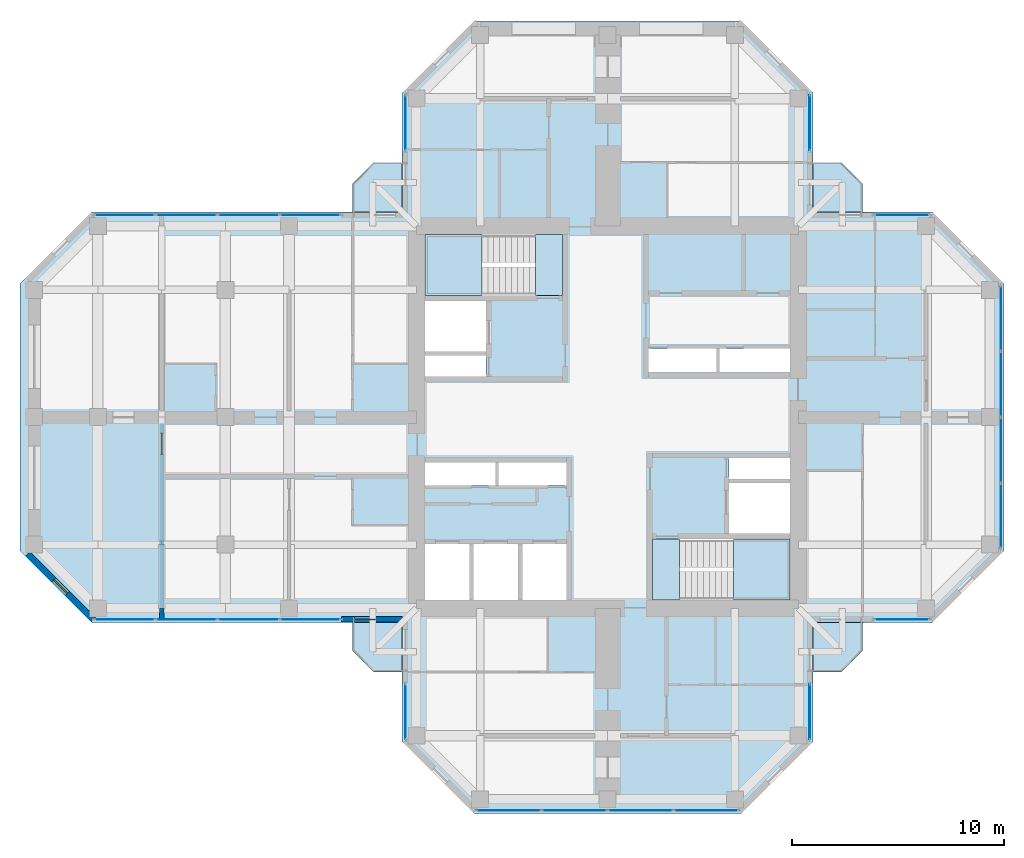
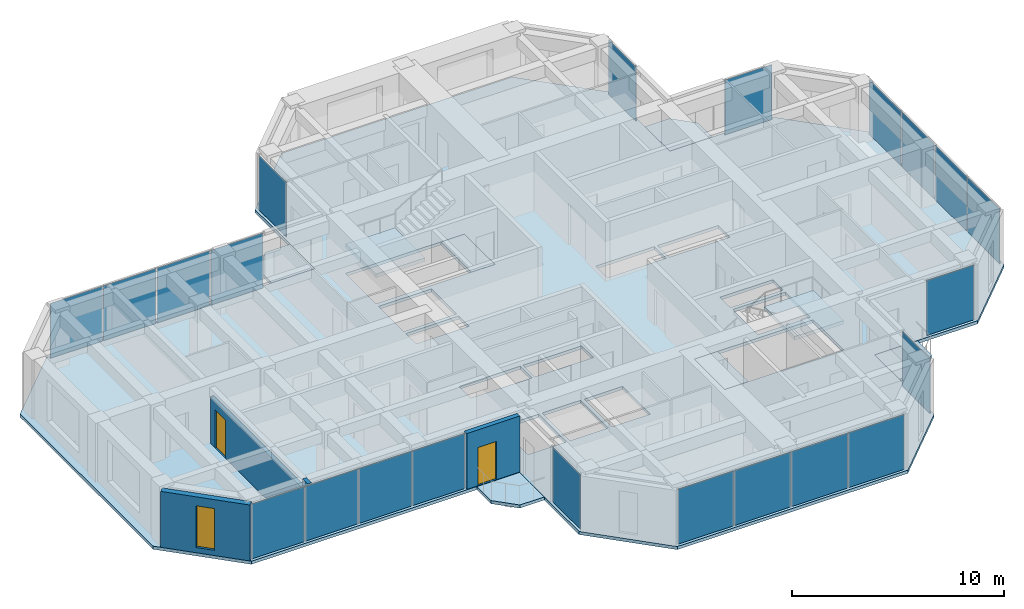
# One storey, part 7 of 13: 22 plates, 9 slabs, 4 walls, 2 doors, 1 window, 3 openings, 12 elements without a shape of their own.
"""IFC4 building model written with IfcOpenShell, lengths in metres."""

from ifc_helpers import new_model, si_unit, direction, frame, frame_2d, origin, origin_2d, place, context, subcontext, project, spatial, polyline, rectangle, hollow_rectangle, outline, extrude, material, layer, layer_set, constituent, constituent_set, type_object, element, fill, aggregate, save


model = new_model("IFC4")

# Units and contexts
model_context = context("Model", 3, precision=1e-05, world=origin(), true_north=direction((0.0, 1.0)))
body_context = subcontext(model_context, "Body", "Model", "MODEL_VIEW")
ifc_project = project(units=[si_unit("LENGTHUNIT", "METRE"), si_unit("AREAUNIT", "SQUARE_METRE"), si_unit("VOLUMEUNIT", "CUBIC_METRE"), si_unit("PLANEANGLEUNIT", "RADIAN"), si_unit("MASSUNIT", "GRAM", prefix="KILO")], contexts=[model_context])

# Site, building, storey
site_placement = place(None, origin())
site = spatial("IfcSite", under=ifc_project, at=site_placement, CompositionType="ELEMENT")
building_placement = place(site_placement, origin())
building = spatial("IfcBuilding", under=site, at=building_placement, Name="Torre Cruceta", CompositionType="ELEMENT")
storey_placement = place(building_placement, frame((0.0, 0.0, 232.300048828125)))
storey = spatial("IfcBuildingStorey", under=building, at=storey_placement, Name="L59", CompositionType="ELEMENT", Elevation=232.300048828125)

# Slabs
ifc_material_1 = material(Name="Concrete G35 (fck 35 MPa)", Category="concrete")
ifc_layer_1 = layer(ifc_material_1, 0.179931640625)
ifc_layer_set_1 = layer_set([ifc_layer_1], Name="Concrete G35 (fck 35 MPa)")
slab_type_1 = type_object("IfcSlabType", Name="BALCONY SLAB 180", PredefinedType="USERDEFINED", material=ifc_layer_set_1)
slab_1_placement = place(storey_placement, frame((0.0, 0.0, -0.179931640625)))
element("IfcSlab", 1, at=slab_1_placement, inside=storey, type_object=slab_type_1, Name="Balcony slab L59 N", ObjectType="BALCONY", PredefinedType="USERDEFINED", context=body_context, shape_type="SweptSolid", body=[
    extrude(outline(polyline([(-12.0, 11.0), (-11.0, 12.0), (-9.669921875, 12.0), (-9.669921875, 9.669921875), (-12.0, 9.669921875), (-12.0, 11.0)])), origin(), (0.0, 0.0, 1.0), 0.179931640625),
])
slab_2_placement = place(storey_placement, frame((0.0, 0.0, -0.179931640625)))
element("IfcSlab", 2, at=slab_2_placement, inside=storey, type_object=slab_type_1, Name="Balcony slab L59 E", ObjectType="BALCONY", PredefinedType="USERDEFINED", context=body_context, shape_type="SweptSolid", body=[
    extrude(outline(polyline([(11.0, 12.0), (12.0, 11.0), (12.0, 9.669921875), (9.669921875, 9.669921875), (9.669921875, 12.0), (11.0, 12.0)])), origin(), (0.0, 0.0, 1.0), 0.179931640625),
])
slab_3_placement = place(storey_placement, frame((0.0, 0.0, -0.179931640625)))
element("IfcSlab", 3, at=slab_3_placement, inside=storey, type_object=slab_type_1, Name="Balcony slab L59 S", ObjectType="BALCONY", PredefinedType="USERDEFINED", context=body_context, shape_type="SweptSolid", body=[
    extrude(outline(polyline([(12.0, -11.0), (11.0, -12.0), (9.669921875, -12.0), (9.669921875, -9.669921875), (12.0, -9.669921875), (12.0, -11.0)])), origin(), (0.0, 0.0, 1.0), 0.179931640625),
])
slab_4_placement = place(storey_placement, frame((0.0, 0.0, -0.179931640625)))
element("IfcSlab", 4, at=slab_4_placement, inside=storey, type_object=slab_type_1, Name="Balcony slab L59 W", ObjectType="BALCONY", PredefinedType="USERDEFINED", context=body_context, shape_type="SweptSolid", body=[
    extrude(outline(polyline([(-11.0, -12.0), (-12.0, -11.0), (-12.0, -9.669921875), (-9.669921875, -9.669921875), (-9.669921875, -12.0), (-11.0, -12.0)])), origin(), (0.0, 0.0, 1.0), 0.179931640625),
])

# Curtain wall, plate
ifc_material_2 = material(Name="Aluminium unitised curtain wall", Category="aluminium")
curtain_wall_type = type_object("IfcCurtainWallType", Name="CURTAIN WALL CW-D CO-LIVING UPPER", PredefinedType="USERDEFINED", material=ifc_material_2)
curtain_wall_1_placement = place(storey_placement, origin())
curtain_wall_1 = element("IfcCurtainWall", 5, at=curtain_wall_1_placement, inside=storey, type_object=curtain_wall_type, Name="CW-D L59 E tip 02", ObjectType="UNITISED", PredefinedType="USERDEFINED")
ifc_material_3 = material(Name="Laminated insulating glass unit, low-iron clear", Category="glass")
ifc_material_4 = material(Name="Laminated insulating glass unit, diagonal frit 50 %", Category="glass")
ifc_layer_2 = layer(ifc_material_4, 0.028076171875)
ifc_layer_set_2 = layer_set([ifc_layer_2], Name="Laminated insulating glass unit, diagonal frit 50 %")
plate_type_1 = type_object("IfcPlateType", Name="CW-D OPERABLE VENT PANEL 28", PredefinedType="CURTAIN_PANEL", material=ifc_layer_set_2)
plate_1_placement = place(storey_placement, frame((18.52001953125, -1.553955078125, 0.010009765625), z_axis=(0.0, 0.0, 1.0), x_axis=(0.0, 1.0, 0.0)))
plate_1 = element("IfcPlate", 6, at=plate_1_placement, type_object=plate_type_1, material=ifc_material_3, Name="CW-D vent 2", PredefinedType="CURTAIN_PANEL", context=body_context, shape_type="SweptSolid", body=[
    extrude(rectangle(XDim=3.047607421875, YDim=0.028076171875, at=origin_2d()), origin(), (0.0, 0.0, 1.0), 3.14990234375),
])

curtain_wall_2_placement = place(storey_placement, origin())
curtain_wall_2 = element("IfcCurtainWall", 7, at=curtain_wall_2_placement, inside=storey, type_object=curtain_wall_type, Name="CW-D L59 W side 10", ObjectType="UNITISED", PredefinedType="USERDEFINED")
plate_2_placement = place(storey_placement, frame((-16.90576171875, 9.52001953125, 0.010009765625), z_axis=(0.0, 0.0, 1.0), x_axis=(-1.0, 0.0, 0.0)))
plate_2 = element("IfcPlate", 8, at=plate_2_placement, type_object=plate_type_1, material=ifc_material_3, Name="CW-D vent 2", PredefinedType="CURTAIN_PANEL", context=body_context, shape_type="SweptSolid", body=[
    extrude(rectangle(XDim=2.86376953125, YDim=0.028076171875, at=origin_2d()), origin(), (0.0, 0.0, 1.0), 3.14990234375),
])

curtain_wall_3_placement = place(storey_placement, origin())
curtain_wall_3 = element("IfcCurtainWall", 9, at=curtain_wall_3_placement, inside=storey, type_object=curtain_wall_type, Name="CW-D L59 W side 14", ObjectType="UNITISED", PredefinedType="USERDEFINED")
plate_3_placement = place(storey_placement, frame((-19.82958984375, -9.52001953125, 0.010009765625), z_axis=(0.0, 0.0, 1.0), x_axis=(1.0, 0.0, 0.0)))
plate_3 = element("IfcPlate", 10, at=plate_3_placement, type_object=plate_type_1, material=ifc_material_3, Name="CW-D vent 2", PredefinedType="CURTAIN_PANEL", context=body_context, shape_type="SweptSolid", body=[
    extrude(rectangle(XDim=2.86376953125, YDim=0.028076171875, at=origin_2d()), origin(), (0.0, 0.0, 1.0), 3.14990234375),
])

curtain_wall_4_placement = place(storey_placement, origin())
curtain_wall_4 = element("IfcCurtainWall", 11, at=curtain_wall_4_placement, inside=storey, type_object=curtain_wall_type, Name="CW-D L59 S tip 17", ObjectType="UNITISED", PredefinedType="USERDEFINED")
plate_4_placement = place(storey_placement, frame((-1.553955078125, -18.52001953125, 0.010009765625), z_axis=(0.0, 0.0, 1.0), x_axis=(1.0, 0.0, 0.0)))
plate_4 = element("IfcPlate", 12, at=plate_4_placement, type_object=plate_type_1, material=ifc_material_3, Name="CW-D vent 2", PredefinedType="CURTAIN_PANEL", context=body_context, shape_type="SweptSolid", body=[
    extrude(rectangle(XDim=3.047607421875, YDim=0.028076171875, at=origin_2d()), origin(), (0.0, 0.0, 1.0), 3.14990234375),
])

curtain_wall_5_placement = place(storey_placement, origin())
curtain_wall_5 = element("IfcCurtainWall", 13, at=curtain_wall_5_placement, inside=storey, type_object=curtain_wall_type, Name="CW-D L59 E side 00", ObjectType="UNITISED", PredefinedType="USERDEFINED")
ifc_material_5 = material(Name="Laminated insulating glass unit, diagonal frit 50 %", Category="glass")
ifc_material_6 = material(Name="Laminated insulating glass unit, diagonal frit 50 %", Category="glass")
ifc_layer_3 = layer(ifc_material_6, 0.028076171875)
ifc_layer_set_3 = layer_set([ifc_layer_3], Name="Laminated insulating glass unit, diagonal frit 50 %")
plate_type_2 = type_object("IfcPlateType", Name="CW-D PANEL 28", PredefinedType="CURTAIN_PANEL", material=ifc_layer_set_3)
plate_5_placement = place(storey_placement, frame((13.86767578125, -9.52001953125, 0.010009765625), z_axis=(0.0, 0.0, 1.0), x_axis=(1.0, 0.0, 0.0)))
plate_5 = element("IfcPlate", 14, at=plate_5_placement, type_object=plate_type_2, material=ifc_material_5, Name="CW-D panel 1", PredefinedType="CURTAIN_PANEL", context=body_context, shape_type="SweptSolid", body=[
    extrude(rectangle(XDim=2.575439453125, YDim=0.028076171875, at=origin_2d()), origin(), (0.0, 0.0, 1.0), 3.14990234375),
])
aggregate(curtain_wall_5, [plate_5])

# Plate
plate_6_placement = place(storey_placement, frame((18.52001953125, -4.646484375, 0.010009765625), z_axis=(0.0, 0.0, 1.0), x_axis=(0.0, 1.0, 0.0)))
plate_6 = element("IfcPlate", 15, at=plate_6_placement, type_object=plate_type_2, material=ifc_material_5, Name="CW-D panel 1", PredefinedType="CURTAIN_PANEL", context=body_context, shape_type="SweptSolid", body=[
    extrude(rectangle(XDim=3.017578125, YDim=0.028076171875, at=origin_2d()), origin(), (0.0, 0.0, 1.0), 3.14990234375),
])

plate_7_placement = place(storey_placement, frame((18.52001953125, 1.553955078125, 0.010009765625), z_axis=(0.0, 0.0, 1.0), x_axis=(0.0, 1.0, 0.0)))
plate_7 = element("IfcPlate", 16, at=plate_7_placement, type_object=plate_type_2, material=ifc_material_3, Name="CW-D panel 3", PredefinedType="CURTAIN_PANEL", context=body_context, shape_type="SweptSolid", body=[
    extrude(rectangle(XDim=3.047607421875, YDim=0.028076171875, at=origin_2d()), origin(), (0.0, 0.0, 1.0), 3.14990234375),
])

plate_8_placement = place(storey_placement, frame((18.52001953125, 4.646484375, 0.010009765625), z_axis=(0.0, 0.0, 1.0), x_axis=(0.0, 1.0, 0.0)))
plate_8 = element("IfcPlate", 17, at=plate_8_placement, type_object=plate_type_2, material=ifc_material_5, Name="CW-D panel 4", PredefinedType="CURTAIN_PANEL", context=body_context, shape_type="SweptSolid", body=[
    extrude(rectangle(XDim=3.017578125, YDim=0.028076171875, at=origin_2d()), origin(), (0.0, 0.0, 1.0), 3.14990234375),
])

aggregate(curtain_wall_1, [plate_6, plate_1, plate_7, plate_8])

# Curtain wall, plate
curtain_wall_6_placement = place(storey_placement, origin())
curtain_wall_6 = element("IfcCurtainWall", 18, at=curtain_wall_6_placement, inside=storey, type_object=curtain_wall_type, Name="CW-D L59 E side 04", ObjectType="UNITISED", PredefinedType="USERDEFINED")
plate_9_placement = place(storey_placement, frame((13.86767578125, 9.52001953125, 0.010009765625), z_axis=(0.0, 0.0, 1.0), x_axis=(-1.0, 0.0, 0.0)))
plate_9 = element("IfcPlate", 19, at=plate_9_placement, type_object=plate_type_2, material=ifc_material_5, Name="CW-D panel 1", PredefinedType="CURTAIN_PANEL", context=body_context, shape_type="SweptSolid", body=[
    extrude(rectangle(XDim=2.575439453125, YDim=0.028076171875, at=origin_2d()), origin(), (0.0, 0.0, 1.0), 3.14990234375),
])
aggregate(curtain_wall_6, [plate_9])

curtain_wall_7_placement = place(storey_placement, origin())
curtain_wall_7 = element("IfcCurtainWall", 20, at=curtain_wall_7_placement, inside=storey, type_object=curtain_wall_type, Name="CW-D L59 N side 05", ObjectType="UNITISED", PredefinedType="USERDEFINED")
plate_10_placement = place(storey_placement, frame((9.52001953125, 13.86767578125, 0.010009765625), z_axis=(0.0, 0.0, 1.0), x_axis=(0.0, 1.0, 0.0)))
plate_10 = element("IfcPlate", 21, at=plate_10_placement, type_object=plate_type_2, material=ifc_material_5, Name="CW-D panel 1", PredefinedType="CURTAIN_PANEL", context=body_context, shape_type="SweptSolid", body=[
    extrude(rectangle(XDim=2.575439453125, YDim=0.028076171875, at=origin_2d()), origin(), (0.0, 0.0, 1.0), 3.14990234375),
])
aggregate(curtain_wall_7, [plate_10])

curtain_wall_8_placement = place(storey_placement, origin())
curtain_wall_8 = element("IfcCurtainWall", 22, at=curtain_wall_8_placement, inside=storey, type_object=curtain_wall_type, Name="CW-D L59 N side 09", ObjectType="UNITISED", PredefinedType="USERDEFINED")
plate_11_placement = place(storey_placement, frame((-9.52001953125, 13.86767578125, 0.010009765625), z_axis=(0.0, 0.0, 1.0), x_axis=(0.0, -1.0, 0.0)))
plate_11 = element("IfcPlate", 23, at=plate_11_placement, type_object=plate_type_2, material=ifc_material_5, Name="CW-D panel 1", PredefinedType="CURTAIN_PANEL", context=body_context, shape_type="SweptSolid", body=[
    extrude(rectangle(XDim=2.575439453125, YDim=0.028076171875, at=origin_2d()), origin(), (0.0, 0.0, 1.0), 3.14990234375),
])
aggregate(curtain_wall_8, [plate_11])

# Plate
plate_12_placement = place(storey_placement, frame((-13.996826171875, 9.52001953125, 0.010009765625), z_axis=(0.0, 0.0, 1.0), x_axis=(-1.0, 0.0, 0.0)))
plate_12 = element("IfcPlate", 24, at=plate_12_placement, type_object=plate_type_2, material=ifc_material_5, Name="CW-D panel 1", PredefinedType="CURTAIN_PANEL", context=body_context, shape_type="SweptSolid", body=[
    extrude(rectangle(XDim=2.833740234375, YDim=0.028076171875, at=origin_2d()), origin(), (0.0, 0.0, 1.0), 3.14990234375),
])

plate_13_placement = place(storey_placement, frame((-19.82958984375, 9.52001953125, 0.010009765625), z_axis=(0.0, 0.0, 1.0), x_axis=(-1.0, 0.0, 0.0)))
plate_13 = element("IfcPlate", 25, at=plate_13_placement, type_object=plate_type_2, material=ifc_material_3, Name="CW-D panel 3", PredefinedType="CURTAIN_PANEL", context=body_context, shape_type="SweptSolid", body=[
    extrude(rectangle(XDim=2.86376953125, YDim=0.028076171875, at=origin_2d()), origin(), (0.0, 0.0, 1.0), 3.14990234375),
])

plate_14_placement = place(storey_placement, frame((-22.738525390625, 9.52001953125, 0.010009765625), z_axis=(0.0, 0.0, 1.0), x_axis=(-1.0, 0.0, 0.0)))
plate_14 = element("IfcPlate", 26, at=plate_14_placement, type_object=plate_type_2, material=ifc_material_5, Name="CW-D panel 4", PredefinedType="CURTAIN_PANEL", context=body_context, shape_type="SweptSolid", body=[
    extrude(rectangle(XDim=2.833740234375, YDim=0.028076171875, at=origin_2d()), origin(), (0.0, 0.0, 1.0), 3.14990234375),
])

aggregate(curtain_wall_2, [plate_12, plate_2, plate_13, plate_14])

plate_15_placement = place(storey_placement, frame((-22.738525390625, -9.52001953125, 0.010009765625), z_axis=(0.0, 0.0, 1.0), x_axis=(1.0, 0.0, 0.0)))
plate_15 = element("IfcPlate", 27, at=plate_15_placement, type_object=plate_type_2, material=ifc_material_5, Name="CW-D panel 1", PredefinedType="CURTAIN_PANEL", context=body_context, shape_type="SweptSolid", body=[
    extrude(rectangle(XDim=2.833740234375, YDim=0.028076171875, at=origin_2d()), origin(), (0.0, 0.0, 1.0), 3.14990234375),
])

plate_16_placement = place(storey_placement, frame((-16.90576171875, -9.52001953125, 0.010009765625), z_axis=(0.0, 0.0, 1.0), x_axis=(1.0, 0.0, 0.0)))
plate_16 = element("IfcPlate", 28, at=plate_16_placement, type_object=plate_type_2, material=ifc_material_3, Name="CW-D panel 3", PredefinedType="CURTAIN_PANEL", context=body_context, shape_type="SweptSolid", body=[
    extrude(rectangle(XDim=2.86376953125, YDim=0.028076171875, at=origin_2d()), origin(), (0.0, 0.0, 1.0), 3.14990234375),
])

plate_17_placement = place(storey_placement, frame((-13.996826171875, -9.52001953125, 0.010009765625), z_axis=(0.0, 0.0, 1.0), x_axis=(1.0, 0.0, 0.0)))
plate_17 = element("IfcPlate", 29, at=plate_17_placement, type_object=plate_type_2, material=ifc_material_5, Name="CW-D panel 4", PredefinedType="CURTAIN_PANEL", context=body_context, shape_type="SweptSolid", body=[
    extrude(rectangle(XDim=2.833740234375, YDim=0.028076171875, at=origin_2d()), origin(), (0.0, 0.0, 1.0), 3.14990234375),
])

aggregate(curtain_wall_3, [plate_15, plate_3, plate_16, plate_17])

# Curtain wall, plate
curtain_wall_9_placement = place(storey_placement, origin())
curtain_wall_9 = element("IfcCurtainWall", 30, at=curtain_wall_9_placement, inside=storey, type_object=curtain_wall_type, Name="CW-D L59 S side 15", ObjectType="UNITISED", PredefinedType="USERDEFINED")
plate_18_placement = place(storey_placement, frame((-9.52001953125, -13.86767578125, 0.010009765625), z_axis=(0.0, 0.0, 1.0), x_axis=(0.0, -1.0, 0.0)))
plate_18 = element("IfcPlate", 31, at=plate_18_placement, type_object=plate_type_2, material=ifc_material_5, Name="CW-D panel 1", PredefinedType="CURTAIN_PANEL", context=body_context, shape_type="SweptSolid", body=[
    extrude(rectangle(XDim=2.575439453125, YDim=0.028076171875, at=origin_2d()), origin(), (0.0, 0.0, 1.0), 3.14990234375),
])
aggregate(curtain_wall_9, [plate_18])

# Plate
plate_19_placement = place(storey_placement, frame((-4.646484375, -18.52001953125, 0.010009765625), z_axis=(0.0, 0.0, 1.0), x_axis=(1.0, 0.0, 0.0)))
plate_19 = element("IfcPlate", 32, at=plate_19_placement, type_object=plate_type_2, material=ifc_material_5, Name="CW-D panel 1", PredefinedType="CURTAIN_PANEL", context=body_context, shape_type="SweptSolid", body=[
    extrude(rectangle(XDim=3.017578125, YDim=0.028076171875, at=origin_2d()), origin(), (0.0, 0.0, 1.0), 3.14990234375),
])

plate_20_placement = place(storey_placement, frame((1.553955078125, -18.52001953125, 0.010009765625), z_axis=(0.0, 0.0, 1.0), x_axis=(1.0, 0.0, 0.0)))
plate_20 = element("IfcPlate", 33, at=plate_20_placement, type_object=plate_type_2, material=ifc_material_3, Name="CW-D panel 3", PredefinedType="CURTAIN_PANEL", context=body_context, shape_type="SweptSolid", body=[
    extrude(rectangle(XDim=3.047607421875, YDim=0.028076171875, at=origin_2d()), origin(), (0.0, 0.0, 1.0), 3.14990234375),
])

plate_21_placement = place(storey_placement, frame((4.646484375, -18.52001953125, 0.010009765625), z_axis=(0.0, 0.0, 1.0), x_axis=(1.0, 0.0, 0.0)))
plate_21 = element("IfcPlate", 34, at=plate_21_placement, type_object=plate_type_2, material=ifc_material_5, Name="CW-D panel 4", PredefinedType="CURTAIN_PANEL", context=body_context, shape_type="SweptSolid", body=[
    extrude(rectangle(XDim=3.017578125, YDim=0.028076171875, at=origin_2d()), origin(), (0.0, 0.0, 1.0), 3.14990234375),
])

aggregate(curtain_wall_4, [plate_19, plate_4, plate_20, plate_21])

# Curtain wall, plate
curtain_wall_10_placement = place(storey_placement, origin())
curtain_wall_10 = element("IfcCurtainWall", 35, at=curtain_wall_10_placement, inside=storey, type_object=curtain_wall_type, Name="CW-D L59 S side 19", ObjectType="UNITISED", PredefinedType="USERDEFINED")
plate_22_placement = place(storey_placement, frame((9.52001953125, -13.86767578125, 0.010009765625), z_axis=(0.0, 0.0, 1.0), x_axis=(0.0, 1.0, 0.0)))
plate_22 = element("IfcPlate", 36, at=plate_22_placement, type_object=plate_type_2, material=ifc_material_5, Name="CW-D panel 1", PredefinedType="CURTAIN_PANEL", context=body_context, shape_type="SweptSolid", body=[
    extrude(rectangle(XDim=2.575439453125, YDim=0.028076171875, at=origin_2d()), origin(), (0.0, 0.0, 1.0), 3.14990234375),
])
aggregate(curtain_wall_10, [plate_22])

# Slab
ifc_material_7 = material(Name="Concrete G35 (fck 35 MPa)", Category="concrete")
ifc_layer_4 = layer(ifc_material_7, 0.179931640625)
ifc_layer_set_4 = layer_set([ifc_layer_4], Name="Concrete G35 (fck 35 MPa)")
slab_type_2 = type_object("IfcSlabType", Name="FLOOR SLAB 180", PredefinedType="FLOOR", material=ifc_layer_set_4)
slab_5_placement = place(storey_placement, frame((0.0, 0.0, -0.179931640625)))
element("IfcSlab", 37, at=slab_5_placement, inside=storey, type_object=slab_type_2, Name="Floor Slab L59", PredefinedType="FLOOR", context=body_context, shape_type="SweptSolid", body=[
    extrude(outline(polyline([(9.669921875, -9.669921875), (9.669921875, -15.277587890625), (6.277587890625, -18.669921875), (-6.277587890625, -18.669921875), (-9.669921875, -15.277587890625), (-9.669921875, -9.669921875), (-24.277587890625, -9.669921875), (-27.669921875, -6.277587890625), (-27.669921875, 6.277587890625), (-24.277587890625, 9.669921875), (-9.669921875, 9.669921875), (-9.669921875, 15.277587890625), (-6.277587890625, 18.669921875), (6.277587890625, 18.669921875), (9.669921875, 15.277587890625), (9.669921875, 9.669921875), (15.277587890625, 9.669921875), (18.669921875, 6.277587890625), (18.669921875, -6.277587890625), (15.277587890625, -9.669921875), (9.669921875, -9.669921875)]), holes=[polyline([(1.925048828125, 2.125), (5.125, 2.125), (5.125, 3.22509765625), (1.925048828125, 3.22509765625), (1.925048828125, 2.125)]), polyline([(5.27490234375, 2.125), (8.60009765625, 2.125), (8.60009765625, 3.22509765625), (5.27490234375, 3.22509765625), (5.27490234375, 2.125)]), polyline([(-8.60009765625, 3.10009765625), (-5.72509765625, 3.10009765625), (-5.72509765625, 5.47509765625), (-8.60009765625, 5.47509765625), (-8.60009765625, 3.10009765625)]), polyline([(-8.60009765625, 1.925048828125), (-5.72509765625, 1.925048828125), (-5.72509765625, 2.89990234375), (-8.60009765625, 2.89990234375), (-8.60009765625, 1.925048828125)]), polyline([(-4.0166015625, -8.60009765625), (-1.925048828125, -8.60009765625), (-1.925048828125, -5.97509765625), (-4.0166015625, -5.97509765625), (-4.0166015625, -8.60009765625)]), polyline([(-6.308349609375, -8.60009765625), (-4.216552734375, -8.60009765625), (-4.216552734375, -5.97509765625), (-6.308349609375, -5.97509765625), (-6.308349609375, -8.60009765625)]), polyline([(-8.60009765625, -8.60009765625), (-6.50830078125, -8.60009765625), (-6.50830078125, -5.97509765625), (-8.60009765625, -5.97509765625), (-8.60009765625, -8.60009765625)]), polyline([(-5.125, -3.22509765625), (-1.925048828125, -3.22509765625), (-1.925048828125, -2.125), (-5.125, -2.125), (-5.125, -3.22509765625)]), polyline([(-8.60009765625, -3.22509765625), (-5.27490234375, -3.22509765625), (-5.27490234375, -2.125), (-8.60009765625, -2.125), (-8.60009765625, -3.22509765625)]), polyline([(5.72509765625, -5.47509765625), (8.60009765625, -5.47509765625), (8.60009765625, -3.10009765625), (5.72509765625, -3.10009765625), (5.72509765625, -5.47509765625)]), polyline([(5.72509765625, -2.89990234375), (8.60009765625, -2.89990234375), (8.60009765625, -1.925048828125), (5.72509765625, -1.925048828125), (5.72509765625, -2.89990234375)]), polyline([(-8.60009765625, 5.72509765625), (-8.60009765625, 8.60009765625), (-3.39990234375, 8.60009765625), (-2.125, 8.60009765625), (-2.125, 5.72509765625), (-3.39990234375, 5.72509765625), (-8.60009765625, 5.72509765625)]), polyline([(2.125, -5.72509765625), (3.39990234375, -5.72509765625), (8.60009765625, -5.72509765625), (8.60009765625, -8.60009765625), (3.39990234375, -8.60009765625), (2.125, -8.60009765625), (2.125, -5.72509765625)])]), origin(), (0.0, 0.0, 1.0), 0.179931640625),
])

# Stair, slab
ifc_material_8 = material(Name="Concrete G30 (fck 30 MPa)", Category="concrete")
stair_type = type_object("IfcStairType", Name="STAIR HALF-TURN 1300", PredefinedType="HALF_TURN_STAIR", material=ifc_material_8)
stair_1_placement = place(storey_placement, origin())
stair_1 = element("IfcStair", 38, at=stair_1_placement, inside=storey, type_object=stair_type, Name="Stair ST1 L59", PredefinedType="HALF_TURN_STAIR")
ifc_material_9 = material(Name="Concrete G30 (fck 30 MPa)", Category="concrete")
ifc_layer_5 = layer(ifc_material_9, 0.199951171875)
ifc_layer_set_5 = layer_set([ifc_layer_5], Name="Concrete G30 (fck 30 MPa)")
slab_type_3 = type_object("IfcSlabType", Name="STAIR LANDING 200", PredefinedType="LANDING", material=ifc_layer_set_5)
slab_6_placement = place(storey_placement, frame((0.0, 0.0, 1.5)))
slab_6 = element("IfcSlab", 39, at=slab_6_placement, type_object=slab_type_3, Name="ST1 landing 1", PredefinedType="LANDING", context=body_context, shape_type="SweptSolid", body=[
    extrude(outline(polyline([(-8.60009765625, 5.72509765625), (-5.919921875, 5.72509765625), (-5.919921875, 8.60009765625), (-8.60009765625, 8.60009765625), (-8.60009765625, 5.72509765625)])), origin(), (0.0, 0.0, 1.0), 0.199951171875),
])
aggregate(stair_1, [slab_6])

stair_2_placement = place(storey_placement, origin())
stair_2 = element("IfcStair", 40, at=stair_2_placement, inside=storey, type_object=stair_type, Name="Stair ST2 L59", PredefinedType="HALF_TURN_STAIR")
slab_7_placement = place(storey_placement, frame((0.0, 0.0, 1.5)))
slab_7 = element("IfcSlab", 41, at=slab_7_placement, type_object=slab_type_3, Name="ST2 landing 1", PredefinedType="LANDING", context=body_context, shape_type="SweptSolid", body=[
    extrude(outline(polyline([(5.919921875, -8.60009765625), (8.60009765625, -8.60009765625), (8.60009765625, -5.72509765625), (5.919921875, -5.72509765625), (5.919921875, -8.60009765625)])), origin(), (0.0, 0.0, 1.0), 0.199951171875),
])
aggregate(stair_2, [slab_7])

# Slabs
slab_8_placement = place(storey_placement, frame((0.0, 0.0, -0.199951171875)))
element("IfcSlab", 42, at=slab_8_placement, inside=storey, type_object=slab_type_3, Name="Stair ST1 floor landing L59", PredefinedType="LANDING", context=body_context, shape_type="SweptSolid", body=[
    extrude(outline(polyline([(-2.125, 8.60009765625), (-2.125, 5.72509765625), (-3.39990234375, 5.72509765625), (-3.39990234375, 8.60009765625), (-2.125, 8.60009765625)])), origin(), (0.0, 0.0, 1.0), 0.199951171875),
])
slab_9_placement = place(storey_placement, frame((0.0, 0.0, -0.199951171875)))
element("IfcSlab", 43, at=slab_9_placement, inside=storey, type_object=slab_type_3, Name="Stair ST2 floor landing L59", PredefinedType="LANDING", context=body_context, shape_type="SweptSolid", body=[
    extrude(outline(polyline([(2.125, -8.60009765625), (2.125, -5.72509765625), (3.39990234375, -5.72509765625), (3.39990234375, -8.60009765625), (2.125, -8.60009765625)])), origin(), (0.0, 0.0, 1.0), 0.199951171875),
])

# Wall, opening, window
ifc_material_10 = material(Name="Concrete G30 (fck 30 MPa)", Category="concrete")
ifc_layer_6 = layer(ifc_material_10, 0.300048828125)
ifc_layer_set_6 = layer_set([ifc_layer_6], Name="Concrete G30 (fck 30 MPa)")
wall_type_1 = type_object("IfcWallType", Name="EXPOSED CONCRETE FACADE WALL 300", PredefinedType="SOLIDWALL", material=ifc_layer_set_6)
wall_1_placement = place(storey_placement, frame((-27.300048828125, -6.435302734375, 0.0), z_axis=(0.0, 0.0, 1.0), x_axis=(0.707106781187, -0.707106781187, 0.0)))
wall_1 = element("IfcWall", 44, at=wall_1_placement, inside=storey, type_object=wall_type_1, Name="EW1 facade wall L59 W chamfer 13", PredefinedType="SOLIDWALL", context=body_context, shape_type="SweptSolid", body=[
    extrude(rectangle(XDim=4.362548828125, YDim=0.300048828125, at=frame_2d((2.18115234375, 0.0))), origin(), (0.0, 0.0, 1.0), 3.219970703125),
])
opening_1_placement = place(wall_1_placement, frame((1.731201171875, 0.0, 0.300048828125)))
opening_1 = element("IfcOpeningElement", 45, at=opening_1_placement, cuts=wall_1, Name="Opening WN5", PredefinedType="OPENING", context=body_context, shape_type="SweptSolid", body=[
    extrude(rectangle(XDim=0.89990234375, YDim=2.39990234375, at=frame_2d((0.449951171875, 1.199951171875))), frame((0.0, 0.159912109375, 0.0), z_axis=(0.0, -1.0, 0.0), x_axis=(1.0, 0.0, 0.0)), (0.0, 0.0, 1.0), 0.320068359375),
])
ifc_material_11 = material(Name="Aluminium window frame", Category="aluminium")
ifc_constituent_1 = constituent(ifc_material_11, Name="Frame")
ifc_material_12 = material(Name="Laminated insulating glass unit, low-iron clear", Category="glass")
ifc_constituent_2 = constituent(ifc_material_12, Name="Glazing")
ifc_constituent_set_1 = constituent_set(constituents=[ifc_constituent_1, ifc_constituent_2], Name="Aluminium window")
window_type = type_object("IfcWindowType", Name="CHAMFER SLOT WINDOW 900X2400", PartitioningType="SINGLE_PANEL", PredefinedType="WINDOW", material=ifc_constituent_set_1)
window_placement = place(opening_1_placement, origin())
window = element("IfcWindow", 46, at=window_placement, inside=storey, type_object=window_type, Name="WN5 L59 W 1", OverallHeight=2.39990234375, OverallWidth=0.89990234375, PartitioningType="SINGLE_PANEL", PredefinedType="WINDOW", context=body_context, shape_type="SweptSolid", body=[
    extrude(hollow_rectangle(XDim=0.89990234375, YDim=2.39990234375, WallThickness=0.06005859375, at=frame_2d((0.449951171875, 1.199951171875))), frame((0.0, 0.030029296875, 0.0), z_axis=(0.0, -1.0, 0.0), x_axis=(1.0, 0.0, 0.0)), (0.0, 0.0, 1.0), 0.06005859375),
    extrude(rectangle(XDim=0.77880859375, YDim=2.27880859375, at=frame_2d((0.449951171875, 1.199951171875))), frame((0.0, 0.030029296875, 0.0), z_axis=(0.0, -1.0, 0.0), x_axis=(1.0, 0.0, 0.0)), (0.0, 0.0, 1.0), 0.06005859375),
])
fill(opening_1, window)

# Wall, opening, door
ifc_material_13 = material(Name="Concrete G25 (fck 25 MPa)", Category="concrete")
ifc_layer_7 = layer(ifc_material_13, 0.199951171875)
ifc_layer_set_7 = layer_set([ifc_layer_7], Name="Concrete G25 (fck 25 MPa)")
wall_type_2 = type_object("IfcWallType", Name="UNIT SEPARATING WALL 200", PredefinedType="SOLIDWALL", material=ifc_layer_set_7)
wall_2_placement = place(storey_placement, frame((-21.0, -0.300048828125, 0.0), z_axis=(0.0, 0.0, 1.0), x_axis=(0.0, -1.0, 0.0)))
wall_2 = element("IfcWall", 47, at=wall_2_placement, inside=storey, type_object=wall_type_2, Name="PT2 L59-W-ENDb", PredefinedType="SOLIDWALL", context=body_context, shape_type="SweptSolid", body=[
    extrude(rectangle(XDim=8.699951171875, YDim=0.199951171875, at=frame_2d((4.35009765625, 0.0))), origin(), (0.0, 0.0, 1.0), 2.669921875),
])
opening_2_placement = place(wall_2_placement, frame((0.449951171875, 0.0, 0.0)))
opening_2 = element("IfcOpeningElement", 48, at=opening_2_placement, cuts=wall_2, Name="Opening D14", PredefinedType="OPENING", context=body_context, shape_type="SweptSolid", body=[
    extrude(rectangle(XDim=1.0, YDim=2.199951171875, at=frame_2d((0.5, 1.10009765625))), frame((0.0, 0.10986328125, 0.0), z_axis=(0.0, -1.0, 0.0), x_axis=(1.0, 0.0, 0.0)), (0.0, 0.0, 1.0), 0.219970703125),
])
ifc_material_14 = material(Name="Steel DX51D", Category="steel")
ifc_constituent_3 = constituent(ifc_material_14, Name="Leaf and frame")
ifc_material_15 = material(Name="Polyester powder coating", Category="paint")
ifc_constituent_4 = constituent(ifc_material_15, Name="Finish")
ifc_material_16 = material(Name="Fire-resisting glass", Category="glass")
ifc_constituent_5 = constituent(ifc_material_16, Name="Vision panel")
ifc_constituent_set_2 = constituent_set(constituents=[ifc_constituent_3, ifc_constituent_4, ifc_constituent_5], Name="Steel fire door with vision panel")
door_type_1 = type_object("IfcDoorType", Name="FIRE DOOR VISION PANEL 1000X2200", OperationType="SINGLE_SWING_RIGHT", PredefinedType="DOOR", material=ifc_constituent_set_2)
door_1_placement = place(opening_2_placement, frame((1.0, 0.0, 0.0), z_axis=(0.0, 0.0, 1.0), x_axis=(-1.0, 0.0, 0.0)))
door_1 = element("IfcDoor", 49, at=door_1_placement, inside=storey, type_object=door_type_1, Name="D14 L59-W-ENDb-D1", OperationType="SINGLE_SWING_RIGHT", OverallHeight=2.199951171875, OverallWidth=1.0, PredefinedType="DOOR", context=body_context, shape_type="SweptSolid", body=[
    extrude(rectangle(XDim=1.0, YDim=2.199951171875, at=frame_2d((0.5, 1.10009765625))), frame((0.0, 0.025146484375, 0.0), z_axis=(0.0, -1.0, 0.0), x_axis=(1.0, 0.0, 0.0)), (0.0, 0.0, 1.0), 0.050048828125),
])
fill(opening_2, door_1)

# Wall
wall_3_placement = place(storey_placement, frame((-21.0, -9.0, 0.0), z_axis=(0.0, 0.0, 1.0), x_axis=(0.0, -1.0, 0.0)))
element("IfcWall", 50, at=wall_3_placement, inside=storey, type_object=wall_type_2, Name="PT2 L59-W-ENDb 2", PredefinedType="SOLIDWALL", context=body_context, shape_type="SweptSolid", body=[
    extrude(rectangle(XDim=0.47998046875, YDim=0.199951171875, at=frame_2d((0.239990234375, 0.0))), origin(), (0.0, 0.0, 1.0), 3.219970703125),
])

# Wall, opening, door
ifc_material_17 = material(Name="Concrete G30 (fck 30 MPa)", Category="concrete")
ifc_layer_8 = layer(ifc_material_17, 0.25)
ifc_layer_set_8 = layer_set([ifc_layer_8], Name="Concrete G30 (fck 30 MPa)")
wall_type_3 = type_object("IfcWallType", Name="WINTER GARDEN WALL 250", PredefinedType="SOLIDWALL", material=ifc_layer_set_8)
wall_4_placement = place(storey_placement, frame((-12.52001953125, -9.52001953125, 0.0), z_axis=(0.0, 0.0, 1.0), x_axis=(1.0, 0.0, 0.0)))
wall_4 = element("IfcWall", 51, at=wall_4_placement, inside=storey, type_object=wall_type_3, Name="EW2 winter garden wall L59 14", PredefinedType="SOLIDWALL", context=body_context, shape_type="SweptSolid", body=[
    extrude(rectangle(XDim=2.875, YDim=0.25, at=frame_2d((1.4375, 0.0))), origin(), (0.0, 0.0, 1.0), 3.219970703125),
])
opening_3_placement = place(wall_4_placement, frame((0.60009765625, 0.0, 0.0)))
opening_3 = element("IfcOpeningElement", 52, at=opening_3_placement, cuts=wall_4, Name="Opening D10", PredefinedType="OPENING", context=body_context, shape_type="SweptSolid", body=[
    extrude(rectangle(XDim=1.0, YDim=2.199951171875, at=frame_2d((0.5, 1.10009765625))), frame((0.0, 0.135009765625, 0.0), z_axis=(0.0, -1.0, 0.0), x_axis=(1.0, 0.0, 0.0)), (0.0, 0.0, 1.0), 0.27001953125),
])
ifc_material_18 = material(Name="Aluminium door frame", Category="aluminium")
ifc_constituent_6 = constituent(ifc_material_18, Name="Frame")
ifc_material_19 = material(Name="Laminated safety glass", Category="glass")
ifc_constituent_7 = constituent(ifc_material_19, Name="Glazing")
ifc_constituent_set_3 = constituent_set(constituents=[ifc_constituent_6, ifc_constituent_7], Name="Aluminium glazed door")
door_type_2 = type_object("IfcDoorType", Name="BALCONY DOOR 1000X2200", OperationType="SINGLE_SWING_RIGHT", PredefinedType="DOOR", material=ifc_constituent_set_3)
door_2_placement = place(opening_3_placement, origin())
door_2 = element("IfcDoor", 53, at=door_2_placement, inside=storey, type_object=door_type_2, Name="D10 balcony door L59 14", OperationType="SINGLE_SWING_RIGHT", OverallHeight=2.199951171875, OverallWidth=1.0, PredefinedType="DOOR", context=body_context, shape_type="SweptSolid", body=[
    extrude(hollow_rectangle(XDim=1.0, YDim=2.199951171875, WallThickness=0.06005859375, at=frame_2d((0.5, 1.10009765625))), frame((0.0, 0.02490234375, 0.0), z_axis=(0.0, -1.0, 0.0), x_axis=(1.0, 0.0, 0.0)), (0.0, 0.0, 1.0), 0.050048828125),
    extrude(rectangle(XDim=0.87890625, YDim=2.078857421875, at=frame_2d((0.5, 1.10009765625))), frame((0.0, 0.02490234375, 0.0), z_axis=(0.0, -1.0, 0.0), x_axis=(1.0, 0.0, 0.0)), (0.0, 0.0, 1.0), 0.050048828125),
])
fill(opening_3, door_2)

save(model, "model.ifc")
